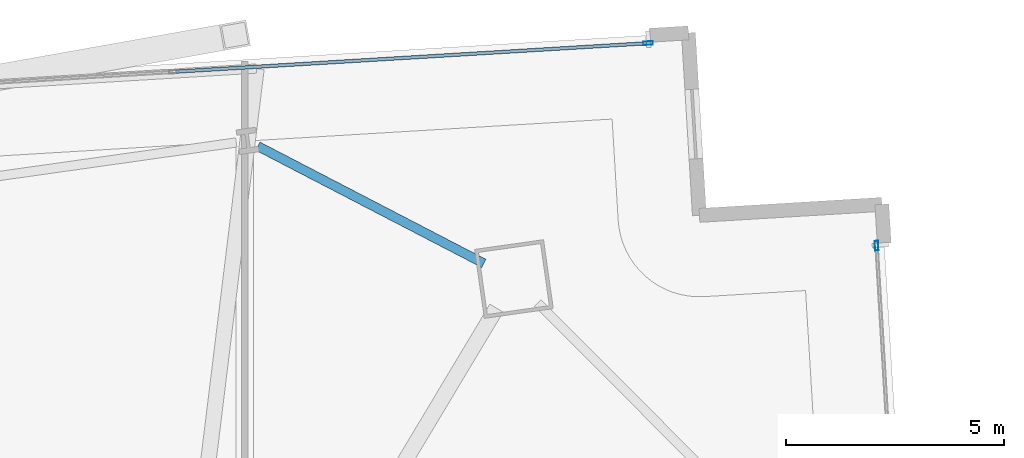
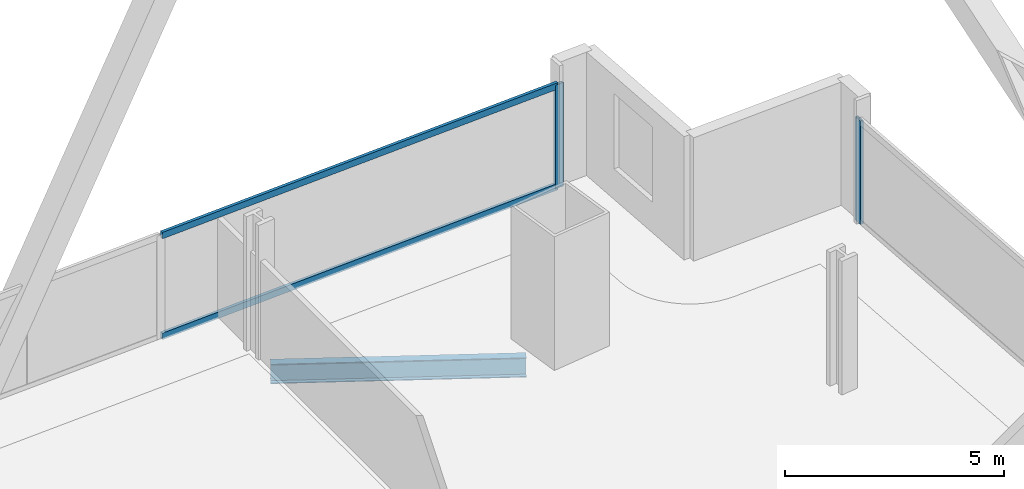
# One storey, part 24 of 34: 4 members, 1 beam, 2 elements without a shape of their own.
"""IFC4 building model written with IfcOpenShell, lengths in metres."""

from ifc_helpers import new_model, si_unit, direction, frame, origin, origin_2d, place, context, subcontext, project, spatial, hollow_rectangle, i_section, extrude, material, material_profile, profile_set, type_object, element, aggregate, save


model = new_model("IFC4")

# Units and contexts
model_context = context("Model", 3, precision=1e-05, world=origin(), true_north=direction((0.0, 1.0)))
body_context = subcontext(model_context, "Body", "Model", "MODEL_VIEW")
ifc_project = project(units=[si_unit("LENGTHUNIT", "METRE"), si_unit("AREAUNIT", "SQUARE_METRE"), si_unit("VOLUMEUNIT", "CUBIC_METRE"), si_unit("PLANEANGLEUNIT", "RADIAN"), si_unit("MASSUNIT", "GRAM", prefix="KILO")], contexts=[model_context])

# Site, building, storey
site_placement = place(None, origin())
site = spatial("IfcSite", under=ifc_project, at=site_placement, CompositionType="ELEMENT")
building_placement = place(site_placement, origin())
building = spatial("IfcBuilding", under=site, at=building_placement, Name="Haldenkirk Collegiate Tower", CompositionType="ELEMENT")
storey_placement = place(building_placement, frame((0.0, 0.0, 40.199951171875)))
storey = spatial("IfcBuildingStorey", under=building, at=storey_placement, Name="L08", CompositionType="ELEMENT", Elevation=40.199951171875)

# Beam
ifc_material_1 = material(Name="Steel ASTM A992 Grade 50", Category="steel")
ifc_material_profile_1 = material_profile(ifc_material_1, i_section(OverallWidth=0.2119140625, OverallDepth=0.5439453125, WebThickness=0.01318359375, FlangeThickness=0.021240234375, at=origin_2d()), Name="W21X83")
ifc_profile_set_1 = profile_set([ifc_material_profile_1], Name="Steel ASTM A992 Grade 50")
beam_type = type_object("IfcBeamType", Name="BM-SPANDREL-W21X83", PredefinedType="SPANDREL", material=ifc_profile_set_1)
beam_placement = place(storey_placement, frame((52.4921875, 48.029296875, -0.58203125), z_axis=(-0.887648364794, 0.460521856678, 0.0), x_axis=(-0.460521856678, -0.887648364794, 0.0)))
element("IfcBeam", 1, at=beam_placement, inside=storey, type_object=beam_type, Name="L08 perimeter spandrel beam 09", PredefinedType="SPANDREL", context=body_context, shape_type="SweptSolid", body=[
    extrude(i_section(OverallWidth=0.2119140625, OverallDepth=0.5439453125, WebThickness=0.01318359375, FlangeThickness=0.021240234375, at=origin_2d()), origin(), (0.0, 0.0, 1.0), 5.848388671875),
])

# Curtain wall, member
ifc_material_2 = material(Name="Anodised architectural bronze aluminium", Category="aluminium")
curtain_wall_type = type_object("IfcCurtainWallType", Name="CW-SYS1-CONVEX-LOW", PredefinedType="USERDEFINED", material=ifc_material_2)
curtain_wall_1_placement = place(storey_placement, origin())
curtain_wall_1 = element("IfcCurtainWall", 2, at=curtain_wall_1_placement, inside=storey, type_object=curtain_wall_type, Name="L08 Lower tower convex bronze-framed unitised curtain wall", ObjectType="UNITISED CURTAIN WALL", PredefinedType="USERDEFINED")
ifc_material_profile_2 = material_profile(ifc_material_2, hollow_rectangle(XDim=0.080078125, YDim=0.219970703125, WallThickness=0.0048828125, at=origin_2d()), Name="CW-MUL-1A")
ifc_profile_set_2 = profile_set([ifc_material_profile_2], Name="Anodised architectural bronze aluminium")
member_type_1 = type_object("IfcMemberType", Name="CW-MUL-1A", PredefinedType="MULLION", material=ifc_profile_set_2)
member_1_placement = place(storey_placement, frame((61.51611328125, 48.436279296875, 0.0), z_axis=(0.0, 0.0, 1.0), x_axis=(0.998187748718, 0.060176559466, 0.0)))
member_1 = element("IfcMember", 3, at=member_1_placement, type_object=member_type_1, Name="CW-1A mullion 1", PredefinedType="MULLION", context=body_context, shape_type="SweptSolid", body=[
    extrude(hollow_rectangle(XDim=0.080078125, YDim=0.219970703125, WallThickness=0.0048828125, at=origin_2d()), origin(), (0.0, 0.0, 1.0), 2.89111328125),
])
aggregate(curtain_wall_1, [member_1])

# Curtain wall, members
curtain_wall_2_placement = place(storey_placement, origin())
curtain_wall_2 = element("IfcCurtainWall", 4, at=curtain_wall_2_placement, inside=storey, type_object=curtain_wall_type, Name="L08 Lower tower convex bronze-framed unitised curtain wall", ObjectType="UNITISED CURTAIN WALL", PredefinedType="USERDEFINED")
member_2_placement = place(storey_placement, frame((56.2666015625, 53.088623046875, 0.0), z_axis=(0.0, 0.0, 1.0), x_axis=(-0.060175833924, 0.998187792458, 0.0)))
member_2 = element("IfcMember", 5, at=member_2_placement, type_object=member_type_1, Name="CW-1A mullion 5", PredefinedType="MULLION", context=body_context, shape_type="SweptSolid", body=[
    extrude(hollow_rectangle(XDim=0.080078125, YDim=0.219970703125, WallThickness=0.0048828125, at=origin_2d()), origin(), (0.0, 0.0, 1.0), 2.89111328125),
])
ifc_material_profile_3 = material_profile(ifc_material_2, hollow_rectangle(XDim=0.080078125, YDim=0.179931640625, WallThickness=0.0048828125, at=origin_2d()), Name="CW-TRN-1A")
ifc_profile_set_3 = profile_set([ifc_material_profile_3], Name="Anodised architectural bronze aluminium")
member_type_2 = type_object("IfcMemberType", Name="CW-TRN-1A", PredefinedType="USERDEFINED", material=ifc_profile_set_3)
member_3_placement = place(storey_placement, frame((45.416259765625, 52.4345703125, 0.0400390625), z_axis=(0.998188284219, 0.060167676112, 0.0), x_axis=(-0.060167676112, 0.998188284219, 0.0)))
member_3 = element("IfcMember", 6, at=member_3_placement, type_object=member_type_2, Name="CW-1A transom 4.1", ObjectType="TRANSOM", PredefinedType="USERDEFINED", context=body_context, shape_type="SweptSolid", body=[
    extrude(hollow_rectangle(XDim=0.080078125, YDim=0.179931640625, WallThickness=0.0048828125, at=origin_2d()), origin(), (0.0, 0.0, 1.0), 10.829833984375),
])
member_4_placement = place(storey_placement, frame((45.416259765625, 52.4345703125, 2.85107421875), z_axis=(0.998188284219, 0.060167676112, 0.0), x_axis=(-0.060167676112, 0.998188284219, 0.0)))
member_4 = element("IfcMember", 7, at=member_4_placement, type_object=member_type_2, Name="CW-1A transom 4.2", ObjectType="TRANSOM", PredefinedType="USERDEFINED", context=body_context, shape_type="SweptSolid", body=[
    extrude(hollow_rectangle(XDim=0.080078125, YDim=0.179931640625, WallThickness=0.0048828125, at=origin_2d()), origin(), (0.0, 0.0, 1.0), 10.829833984375),
])
aggregate(curtain_wall_2, [member_2, member_3, member_4])

save(model, "model.ifc")
